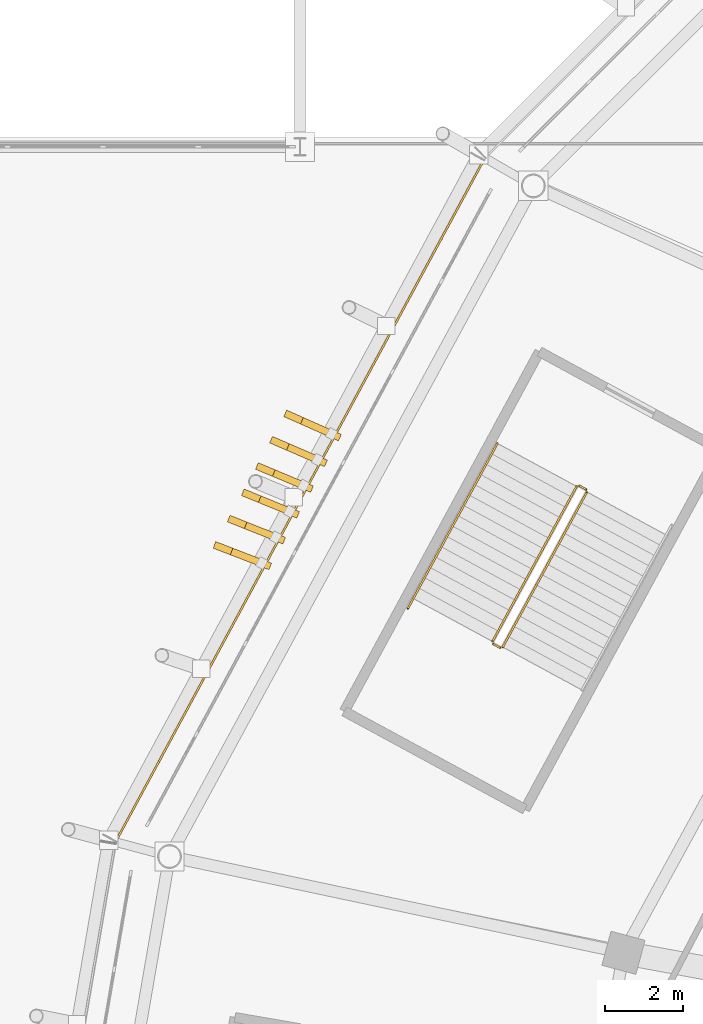
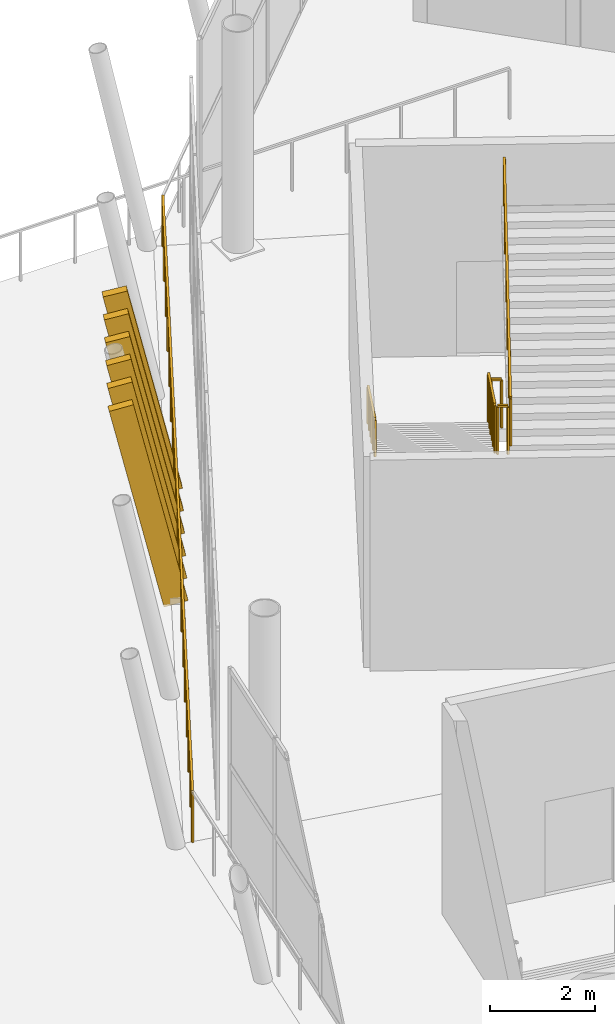
# One storey, part 156 of 178: 6 railings, 6 shading devices.
"""IFC4 building model written with IfcOpenShell, lengths in metres."""

import ifcopenshell
import ifcopenshell.guid

model = None  # the IFC model being written
_history = None  # IfcOwnerHistory: only IFC2X3 demands one
_inside = {}  # id of a spatial element -> (the spatial element, [elements in it])
_under = {}  # id of a project, library or spatial element -> (it, [spatial elements below it])
_declared = {}  # id of a project -> (the project, [libraries it declares])
_typed = {}  # id of a type object -> (the type object, [elements of that type])
_made_of = {}  # id of a material, layer set ... -> (it, [elements and type objects made of it])


def new_model(schema):
    """Start an empty IFC model of exactly this schema.

    Asked for "IFC4X3", IfcOpenShell would pick the latest addendum, in which some entities
    have other attributes; the version numbers below select the first issue.
    IFC2X3 requires an IfcOwnerHistory on every rooted entity: one is made here for all.
    """
    global model, _history
    if schema == "IFC4X3":
        model = ifcopenshell.file(schema_version=(4, 3, 0, 0))
    else:
        model = ifcopenshell.file(schema=schema)
    _inside.clear()
    _under.clear()
    _declared.clear()
    _typed.clear()
    _made_of.clear()
    _history = None
    if model.schema == "IFC2X3":
        org = make("IfcOrganization", Name="unknown")
        user = make(
            "IfcPersonAndOrganization",
            ThePerson=make("IfcPerson", FamilyName="unknown"),
            TheOrganization=org,
        )
        app = make(
            "IfcApplication",
            ApplicationDeveloper=org,
            Version="unknown",
            ApplicationFullName="unknown",
            ApplicationIdentifier="unknown",
        )
        _history = make(
            "IfcOwnerHistory",
            OwningUser=user,
            OwningApplication=app,
            ChangeAction="ADDED",
            CreationDate=0,
        )
    return model


def make(cls, **values):
    """One entity of the class cls with the attributes given. An attribute that is None is left unset."""
    return model.create_entity(
        cls, **{name: value for name, value in values.items() if value is not None}
    )


def rooted(cls, **values):
    """An entity with a GlobalId (a new one), such as an element, a storey or a relation."""
    return make(cls, GlobalId=ifcopenshell.guid.new(), OwnerHistory=_history, **values)


def si_unit(unit_type, name, prefix=None):
    """IfcSIUnit, for example si_unit("LENGTHUNIT", "METRE", prefix="MILLI")."""
    return make("IfcSIUnit", UnitType=unit_type, Prefix=prefix, Name=name)


def assignment(units):
    """IfcUnitAssignment: the units of a project."""
    return None if units is None else make("IfcUnitAssignment", Units=units)


def point(xyz):
    """IfcCartesianPoint."""
    return None if xyz is None else make("IfcCartesianPoint", Coordinates=xyz)


def direction(xyz):
    """IfcDirection."""
    return None if xyz is None else make("IfcDirection", DirectionRatios=xyz)


def frame(location, z_axis=None, x_axis=None):
    """IfcAxis2Placement3D, a coordinate frame: its origin and axes. An axis left out is left unset."""
    return make(
        "IfcAxis2Placement3D",
        Location=point(location),
        Axis=direction(z_axis),
        RefDirection=direction(x_axis),
    )


def frame_2d(location, x_axis=None):
    """IfcAxis2Placement2D, a coordinate frame in the plane: its origin and x axis."""
    return make(
        "IfcAxis2Placement2D", Location=point(location), RefDirection=direction(x_axis)
    )


def origin():
    """The frame at (0, 0, 0) with its axes left unset."""
    return frame((0.0, 0.0, 0.0))


def origin_2d():
    """The frame at (0, 0) in the plane with its x axis left unset."""
    return frame_2d((0.0, 0.0))


def place(relative_to, where):
    """IfcLocalPlacement: puts the frame where relative to a parent placement (None: the world)."""
    return make(
        "IfcLocalPlacement", PlacementRelTo=relative_to, RelativePlacement=where
    )


def context(
    kind, dimensions, precision=None, world=None, true_north=None, identifier=None
):
    """IfcGeometricRepresentationContext, for example the 3D "Model" context."""
    return make(
        "IfcGeometricRepresentationContext",
        ContextIdentifier=identifier,
        ContextType=kind,
        CoordinateSpaceDimension=dimensions,
        Precision=precision,
        WorldCoordinateSystem=world,
        TrueNorth=true_north,
    )


def subcontext(parent, identifier, kind, view, scale=None):
    """IfcGeometricRepresentationSubContext, for example "Body" below "Model"."""
    return make(
        "IfcGeometricRepresentationSubContext",
        ContextIdentifier=identifier,
        ContextType=kind,
        ParentContext=parent,
        TargetScale=scale,
        TargetView=view,
    )


def project(units=None, contexts=None):
    """IfcProject with its units and contexts."""
    return rooted(
        "IfcProject",
        Name="project",
        RepresentationContexts=contexts,
        UnitsInContext=assignment(units),
    )


def spatial(cls, under=None, at=None, **own):
    """A site, building, storey or space (cls), placed at a placement, below another one or the project."""
    s = rooted(cls, ObjectPlacement=at, **own)
    if under is not None:
        _under.setdefault(under.id(), (under, []))[1].append(s)
    return s


def profile(cls, at=None, kind="AREA", **sizes):
    """A parametric profile (cls). Its sizes go by their IFC names, for example OverallWidth=200.0."""
    return make(cls, ProfileType=kind, Position=at, **sizes)


def rectangle(**sizes):
    """IfcRectangleProfileDef."""
    return profile("IfcRectangleProfileDef", **sizes)


def extrude(swept, where, along, depth):
    """IfcExtrudedAreaSolid: the profile swept, set in the frame where, extruded along a direction by depth."""
    return make(
        "IfcExtrudedAreaSolid",
        SweptArea=swept,
        Position=where,
        ExtrudedDirection=direction(along),
        Depth=depth,
    )


def shape(context_of_items, identifier, shape_type, items):
    """IfcShapeRepresentation: the items that make up one representation, for example the "Body"."""
    return make(
        "IfcShapeRepresentation",
        ContextOfItems=context_of_items,
        RepresentationIdentifier=identifier,
        RepresentationType=shape_type,
        Items=items,
    )


def material(Name=None, Category=None):
    """IfcMaterial."""
    return make("IfcMaterial", Name=Name, Category=Category)


def material_profile(
    of_material, cross_section, Name=None, Category=None, Priority=None
):
    """IfcMaterialProfile: a cross section and its material."""
    return make(
        "IfcMaterialProfile",
        Name=Name,
        Material=of_material,
        Profile=cross_section,
        Priority=Priority,
        Category=Category,
    )


def profile_set(profiles, Name=None, composite=None):
    """IfcMaterialProfileSet."""
    return make(
        "IfcMaterialProfileSet",
        Name=Name,
        MaterialProfiles=profiles,
        CompositeProfile=composite,
    )


def made_of(thing, what):
    """Note that an element or type object is made of a material, layer set ...; save() writes the relation."""
    if what is not None:
        _made_of.setdefault(what.id(), (what, []))[1].append(thing)
    return thing


def type_object(cls, material=None, **own):
    """A type object (cls), such as IfcWallType, which elements share."""
    return made_of(rooted(cls, **own), material)


def element(
    cls,
    number,
    at=None,
    inside=None,
    cuts=None,
    type_object=None,
    material=None,
    context=None,
    identifier="Body",
    shape_type=None,
    held_by="IfcProductDefinitionShape",
    body=None,
    shapes=None,
    **own,
):
    """One element of the class cls, such as IfcWall. Its Tag is "e" and its number.

    at: its placement. inside: the storey or other place that contains it. cuts: it is an
    opening in that element (IfcRelVoidsElement). A single representation is given by context,
    identifier, shape_type and body (its items); several are given by shapes. held_by: the class
    of the entity that holds the representations. save() writes the other relations.
    """
    e = rooted(cls, Tag="e%d" % number, ObjectPlacement=at, **own)
    if body is not None:
        shapes = [shape(context, identifier, shape_type, body)]
    if shapes is not None:
        e.Representation = make(held_by, Representations=shapes)
    if inside is not None:
        _inside.setdefault(inside.id(), (inside, []))[1].append(e)
    if cuts is not None:
        rooted(
            "IfcRelVoidsElement", RelatingBuildingElement=cuts, RelatedOpeningElement=e
        )
    if type_object is not None:
        _typed.setdefault(type_object.id(), (type_object, []))[1].append(e)
    return made_of(e, material)


def aggregate(whole, parts):
    """IfcRelAggregates: a whole, such as a stair, and the parts it consists of."""
    return rooted("IfcRelAggregates", RelatingObject=whole, RelatedObjects=parts)


def save(model, path):
    """Write the relations noted so far, then the file.

    IfcRelAggregates (storeys below a building ...), IfcRelContainedInSpatialStructure (elements
    in a storey), IfcRelDefinesByType, IfcRelAssociatesMaterial and IfcRelDeclares: one each for
    every whole, place, type object, material and project.
    """
    for whole, parts in _under.values():
        aggregate(whole, parts)
    for where, things in _inside.values():
        rooted(
            "IfcRelContainedInSpatialStructure",
            RelatedElements=things,
            RelatingStructure=where,
        )
    for kind, things in _typed.values():
        rooted("IfcRelDefinesByType", RelatedObjects=things, RelatingType=kind)
    for what, things in _made_of.values():
        rooted("IfcRelAssociatesMaterial", RelatedObjects=things, RelatingMaterial=what)
    for by, libraries in _declared.values():
        rooted("IfcRelDeclares", RelatingContext=by, RelatedDefinitions=libraries)
    model.write(path)


model = new_model("IFC4")

# Units and contexts
model_context = context("Model", 3, precision=1e-05, world=origin(), true_north=direction((0.0, 1.0)))
body_context = subcontext(model_context, "Body", "Model", "MODEL_VIEW")
ifc_project = project(units=[si_unit("LENGTHUNIT", "METRE"), si_unit("AREAUNIT", "SQUARE_METRE"), si_unit("VOLUMEUNIT", "CUBIC_METRE"), si_unit("PLANEANGLEUNIT", "RADIAN"), si_unit("MASSUNIT", "GRAM", prefix="KILO")], contexts=[model_context])

# Site, building, storey
site_placement = place(None, origin())
site = spatial("IfcSite", under=ifc_project, at=site_placement, CompositionType="ELEMENT")
building_placement = place(site_placement, origin())
building = spatial("IfcBuilding", under=site, at=building_placement, Name="Zlatoyarsky Gate Stadium", CompositionType="ELEMENT")
storey_placement = place(building_placement, frame((0.0, 0.0, 5.39990234375)))
storey = spatial("IfcBuildingStorey", under=building, at=storey_placement, Name="L01", CompositionType="ELEMENT", Elevation=5.39990234375)

# Railings
ifc_material_1 = material(Name="Powder-coated steel tubular guardrail", Category="steel")
railing_type_1 = type_object("IfcRailingType", Name="CONCOURSE SLAB EDGE GUARDRAIL 1200", PredefinedType="GUARDRAIL", material=ifc_material_1)
railing_1_placement = place(storey_placement, frame((29.222412109375, 116.214111328125, 0.0)))
element("IfcRailing", 1, at=railing_1_placement, inside=storey, type_object=railing_type_1, Name="L01 outer slab edge guardrail 10", PredefinedType="GUARDRAIL", context=body_context, shape_type="SweptSolid", body=[
    extrude(rectangle(XDim=0.048095703125, YDim=0.048095703125, at=origin_2d()), frame((0.0, 0.0, 1.17578125), z_axis=(-0.475167957091, -0.879895114519, 0.0), x_axis=(0.879895114519, -0.475167957091, 0.0)), (0.0, 0.0, 1.0), 19.852783203125),
    extrude(rectangle(XDim=0.0419921875, YDim=0.0419921875, at=origin_2d()), origin(), (0.0, 0.0, 1.0), 1.15185546875),
    extrude(rectangle(XDim=0.0419921875, YDim=0.0419921875, at=origin_2d()), frame((-0.554931640625, -1.027587890625, 0.0)), (0.0, 0.0, 1.0), 1.15185546875),
    extrude(rectangle(XDim=0.0419921875, YDim=0.0419921875, at=origin_2d()), frame((-1.10986328125, -2.05517578125, 0.0)), (0.0, 0.0, 1.0), 1.15185546875),
    extrude(rectangle(XDim=0.0419921875, YDim=0.0419921875, at=origin_2d()), frame((-1.664794921875, -3.08251953125, 0.0)), (0.0, 0.0, 1.0), 1.15185546875),
    extrude(rectangle(XDim=0.0419921875, YDim=0.0419921875, at=origin_2d()), frame((-2.2197265625, -4.110107421875, 0.0)), (0.0, 0.0, 1.0), 1.15185546875),
    extrude(rectangle(XDim=0.0419921875, YDim=0.0419921875, at=origin_2d()), frame((-2.7744140625, -5.1376953125, 0.0)), (0.0, 0.0, 1.0), 1.15185546875),
    extrude(rectangle(XDim=0.0419921875, YDim=0.0419921875, at=origin_2d()), frame((-3.329345703125, -6.165283203125, 0.0)), (0.0, 0.0, 1.0), 1.15185546875),
    extrude(rectangle(XDim=0.0419921875, YDim=0.0419921875, at=origin_2d()), frame((-3.88427734375, -7.19287109375, 0.0)), (0.0, 0.0, 1.0), 1.15185546875),
    extrude(rectangle(XDim=0.0419921875, YDim=0.0419921875, at=origin_2d()), frame((-4.439208984375, -8.220458984375, 0.0)), (0.0, 0.0, 1.0), 1.15185546875),
    extrude(rectangle(XDim=0.0419921875, YDim=0.0419921875, at=origin_2d()), frame((-4.994140625, -9.247802734375, 0.0)), (0.0, 0.0, 1.0), 1.15185546875),
    extrude(rectangle(XDim=0.0419921875, YDim=0.0419921875, at=origin_2d()), frame((-5.549072265625, -10.275390625, 0.0)), (0.0, 0.0, 1.0), 1.15185546875),
    extrude(rectangle(XDim=0.0419921875, YDim=0.0419921875, at=origin_2d()), frame((-6.10400390625, -11.302978515625, 0.0)), (0.0, 0.0, 1.0), 1.15185546875),
    extrude(rectangle(XDim=0.0419921875, YDim=0.0419921875, at=origin_2d()), frame((-6.658935546875, -12.33056640625, 0.0)), (0.0, 0.0, 1.0), 1.15185546875),
    extrude(rectangle(XDim=0.0419921875, YDim=0.0419921875, at=origin_2d()), frame((-7.213623046875, -13.358154296875, 0.0)), (0.0, 0.0, 1.0), 1.15185546875),
    extrude(rectangle(XDim=0.0419921875, YDim=0.0419921875, at=origin_2d()), frame((-7.7685546875, -14.3857421875, 0.0)), (0.0, 0.0, 1.0), 1.15185546875),
    extrude(rectangle(XDim=0.0419921875, YDim=0.0419921875, at=origin_2d()), frame((-8.323486328125, -15.4130859375, 0.0)), (0.0, 0.0, 1.0), 1.15185546875),
    extrude(rectangle(XDim=0.0419921875, YDim=0.0419921875, at=origin_2d()), frame((-8.87841796875, -16.440673828125, 0.0)), (0.0, 0.0, 1.0), 1.15185546875),
    extrude(rectangle(XDim=0.0419921875, YDim=0.0419921875, at=origin_2d()), frame((-9.433349609375, -17.46826171875, 0.0)), (0.0, 0.0, 1.0), 1.15185546875),
])
ifc_material_2 = material(Name="Powder-coated steel stair guardrail", Category="steel")
railing_type_2 = type_object("IfcRailingType", Name="PAINTED STEEL STAIR WELL GUARDRAIL 1150", PredefinedType="GUARDRAIL", material=ifc_material_2)
railing_2_placement = place(storey_placement, frame((31.562744140625, 107.824951171875, 0.16259765625)))
element("IfcRailing", 2, at=railing_2_placement, inside=storey, type_object=railing_type_2, Name="ST-06 L01 stair guard 1", PredefinedType="GUARDRAIL", context=body_context, shape_type="SweptSolid", body=[
    extrude(rectangle(XDim=0.048095703125, YDim=0.048095703125, at=origin_2d()), frame((0.0, 0.0, 1.1259765625), z_axis=(-0.419324818617, -0.772864776611, 0.476284299098), x_axis=(0.878963249763, -0.476889510858, 0.0)), (0.0, 0.0, 1.0), 5.11767578125),
    extrude(rectangle(XDim=0.0419921875, YDim=0.0419921875, at=origin_2d()), origin(), (0.0, 0.0, 1.0), 1.101806640625),
    extrude(rectangle(XDim=0.0419921875, YDim=0.0419921875, at=origin_2d()), frame((-0.42919921875, -0.791015625, 0.487548828125)), (0.0, 0.0, 1.0), 1.101806640625),
    extrude(rectangle(XDim=0.0419921875, YDim=0.0419921875, at=origin_2d()), frame((-0.8583984375, -1.58203125, 0.97509765625)), (0.0, 0.0, 1.0), 1.101806640625),
    extrude(rectangle(XDim=0.0419921875, YDim=0.0419921875, at=origin_2d()), frame((-1.28759765625, -2.373291015625, 1.46240234375)), (0.0, 0.0, 1.0), 1.101806640625),
    extrude(rectangle(XDim=0.0419921875, YDim=0.0419921875, at=origin_2d()), frame((-1.716796875, -3.164306640625, 1.949951171875)), (0.0, 0.0, 1.0), 1.101806640625),
    extrude(rectangle(XDim=0.0419921875, YDim=0.0419921875, at=origin_2d()), frame((-2.14599609375, -3.955322265625, 2.4375)), (0.0, 0.0, 1.0), 1.101806640625),
])
railing_3_placement = place(storey_placement, frame((29.436767578125, 103.802001953125, 2.60009765625)))
element("IfcRailing", 3, at=railing_3_placement, inside=storey, type_object=railing_type_2, Name="ST-06 L01 stair guard 2", PredefinedType="GUARDRAIL", context=body_context, shape_type="SweptSolid", body=[
    extrude(rectangle(XDim=0.048095703125, YDim=0.048095703125, at=origin_2d()), frame((0.0, 0.0, 1.1259765625), z_axis=(0.878780312785, -0.477226530971, 0.0), x_axis=(0.477226530971, 0.878780312785, 0.0)), (0.0, 0.0, 1.0), 0.199951171875),
    extrude(rectangle(XDim=0.0419921875, YDim=0.0419921875, at=origin_2d()), origin(), (0.0, 0.0, 1.0), 1.101806640625),
    extrude(rectangle(XDim=0.0419921875, YDim=0.0419921875, at=origin_2d()), frame((0.17578125, -0.095458984375, 0.0)), (0.0, 0.0, 1.0), 1.101806640625),
])
railing_4_placement = place(storey_placement, frame((29.680419921875, 103.7265625, 2.7626953125)))
element("IfcRailing", 4, at=railing_4_placement, inside=storey, type_object=railing_type_2, Name="ST-06 L01 stair guard 3", PredefinedType="GUARDRAIL", context=body_context, shape_type="SweptSolid", body=[
    extrude(rectangle(XDim=0.048095703125, YDim=0.048095703125, at=origin_2d()), frame((0.0, 0.0, 1.1259765625), z_axis=(0.419324818617, 0.772864776611, 0.476284299098), x_axis=(-0.878963249763, 0.476889510858, 0.0)), (0.0, 0.0, 1.0), 5.11767578125),
    extrude(rectangle(XDim=0.0419921875, YDim=0.0419921875, at=origin_2d()), origin(), (0.0, 0.0, 1.0), 1.101806640625),
    extrude(rectangle(XDim=0.0419921875, YDim=0.0419921875, at=origin_2d()), frame((0.42919921875, 0.791015625, 0.487548828125)), (0.0, 0.0, 1.0), 1.101806640625),
    extrude(rectangle(XDim=0.0419921875, YDim=0.0419921875, at=origin_2d()), frame((0.8583984375, 1.58203125, 0.97509765625)), (0.0, 0.0, 1.0), 1.101806640625),
    extrude(rectangle(XDim=0.0419921875, YDim=0.0419921875, at=origin_2d()), frame((1.28759765625, 2.373291015625, 1.46240234375)), (0.0, 0.0, 1.0), 1.101806640625),
    extrude(rectangle(XDim=0.0419921875, YDim=0.0419921875, at=origin_2d()), frame((1.716796875, 3.164306640625, 1.949951171875)), (0.0, 0.0, 1.0), 1.101806640625),
    extrude(rectangle(XDim=0.0419921875, YDim=0.0419921875, at=origin_2d()), frame((2.14599609375, 3.955322265625, 2.4375)), (0.0, 0.0, 1.0), 1.101806640625),
])
railing_5_placement = place(storey_placement, frame((31.63037109375, 107.84521484375, 0.0)))
element("IfcRailing", 5, at=railing_5_placement, inside=storey, type_object=railing_type_2, Name="ST-06 L01 stair guard 4", PredefinedType="GUARDRAIL", context=body_context, shape_type="SweptSolid", body=[
    extrude(rectangle(XDim=0.048095703125, YDim=0.048095703125, at=origin_2d()), frame((0.0, 0.0, 1.1259765625), z_axis=(0.878780312785, -0.477226530971, 0.0), x_axis=(0.477226530971, 0.878780312785, 0.0)), (0.0, 0.0, 1.0), 0.199951171875),
    extrude(rectangle(XDim=0.0419921875, YDim=0.0419921875, at=origin_2d()), origin(), (0.0, 0.0, 1.0), 1.101806640625),
    extrude(rectangle(XDim=0.0419921875, YDim=0.0419921875, at=origin_2d()), frame((0.17578125, -0.095458984375, 0.0)), (0.0, 0.0, 1.0), 1.101806640625),
])

# Shading devices
ifc_material_3 = material(Name="Precast concrete C40/50 stone-toned architectural rib", Category="masonry")
ifc_material_profile = material_profile(ifc_material_3, rectangle(XDim=0.179931640625, YDim=0.47998046875, at=origin_2d()), Name="RIB 180X480")
ifc_profile_set = profile_set([ifc_material_profile], Name="Precast concrete C40/50 stone-toned architectural rib")
shading_device_type = type_object("IfcShadingDeviceType", Name="PRECAST RIBBED BOWL LOUVRE FIN 180X480", PredefinedType="JALOUSIE", material=ifc_profile_set)
for number, where, z_axis, x_axis, name in (
    (6, (25.304931640625, 109.16796875, -0.010009765625), (-0.201637007814, 0.089446848281, 0.97536750941), (-0.405496328768, -0.914096672872, 0.0), "Leaning bowl louvre fin L01-10-1"),
    (7, (24.948486328125, 108.508056640625, -0.010009765625), (-0.202454222344, 0.087413006782, 0.975382619335), (-0.396396238146, -0.918079529444, 0.0), "Leaning bowl louvre fin L01-10-2"),
    (8, (24.59228515625, 107.847900390625, -0.010009765625), (-0.203318380139, 0.085428318382, 0.975378715534), (-0.387365839977, -0.9219260849, 0.0), "Leaning bowl louvre fin L01-10-3"),
    (9, (24.236083984375, 107.18798828125, -0.010009765625), (-0.204182440897, 0.083392728789, 0.975374381258), (-0.37810280644, -0.925763613328, 0.0), "Leaning bowl louvre fin L01-10-4"),
    (10, (23.8798828125, 106.528076171875, -0.010009765625), (-0.205045491268, 0.081356759439, 0.975365277321), (-0.368804401134, -0.929507027248, 0.0), "Leaning bowl louvre fin L01-10-5"),
    (11, (23.5234375, 105.8681640625, -0.010009765625), (-0.205858795997, 0.079321271122, 0.975361621173), (-0.359550829549, -0.93312550119, 0.0), "Leaning bowl louvre fin L01-10-6"),
):
    element("IfcShadingDevice", number, at=place(storey_placement, frame(where, z_axis=z_axis, x_axis=x_axis)), inside=storey, type_object=shading_device_type, Name=name, PredefinedType="JALOUSIE", context=body_context, shape_type="SweptSolid", body=[
        extrude(rectangle(XDim=0.179931640625, YDim=0.47998046875, at=origin_2d()), origin(), (0.0, 0.0, 1.0), 4.79833984375),
    ])

# Railing
ifc_material_4 = material(Name="Brushed stainless steel 316 handrail", Category="steel")
railing_type_3 = type_object("IfcRailingType", Name="STAINLESS STEEL TUBULAR HANDRAIL 900", PredefinedType="HANDRAIL", material=ifc_material_4)
railing_6_placement = place(storey_placement, frame((29.541015625, 108.921875, 0.16650390625)))
element("IfcRailing", 12, at=railing_6_placement, inside=storey, type_object=railing_type_3, Name="ST-06 L01 stair handrail 1", PredefinedType="HANDRAIL", context=body_context, shape_type="SweptSolid", body=[
    extrude(rectangle(XDim=0.048095703125, YDim=0.048095703125, at=origin_2d()), frame((0.0, 0.0, 0.8759765625), z_axis=(-0.419322212027, -0.772856990832, 0.476299227612), x_axis=(0.878962478599, -0.4768909322, 0.0)), (0.0, 0.0, 1.0), 5.458984375),
    extrude(rectangle(XDim=0.0419921875, YDim=0.0419921875, at=origin_2d()), origin(), (0.0, 0.0, 1.0), 0.851806640625),
    extrude(rectangle(XDim=0.0419921875, YDim=0.0419921875, at=origin_2d()), frame((-0.457763671875, -0.84375, 0.52001953125)), (0.0, 0.0, 1.0), 0.851806640625),
    extrude(rectangle(XDim=0.0419921875, YDim=0.0419921875, at=origin_2d()), frame((-0.91552734375, -1.6875, 1.0400390625)), (0.0, 0.0, 1.0), 0.851806640625),
    extrude(rectangle(XDim=0.0419921875, YDim=0.0419921875, at=origin_2d()), frame((-1.37353515625, -2.531494140625, 1.56005859375)), (0.0, 0.0, 1.0), 0.851806640625),
    extrude(rectangle(XDim=0.0419921875, YDim=0.0419921875, at=origin_2d()), frame((-1.831298828125, -3.375244140625, 2.080078125)), (0.0, 0.0, 1.0), 0.851806640625),
    extrude(rectangle(XDim=0.0419921875, YDim=0.0419921875, at=origin_2d()), frame((-2.2890625, -4.218994140625, 2.60009765625)), (0.0, 0.0, 1.0), 0.851806640625),
])

save(model, "model.ifc")
